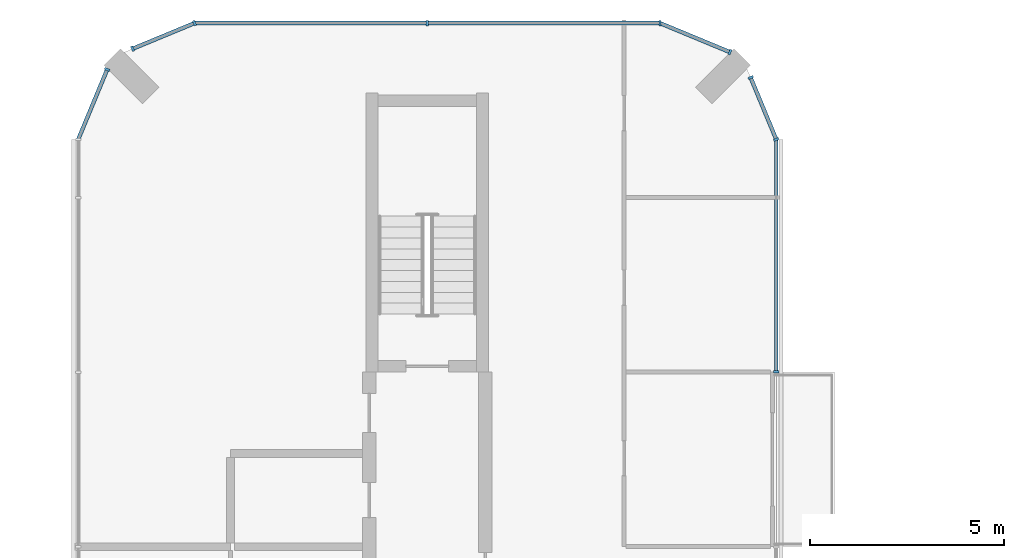
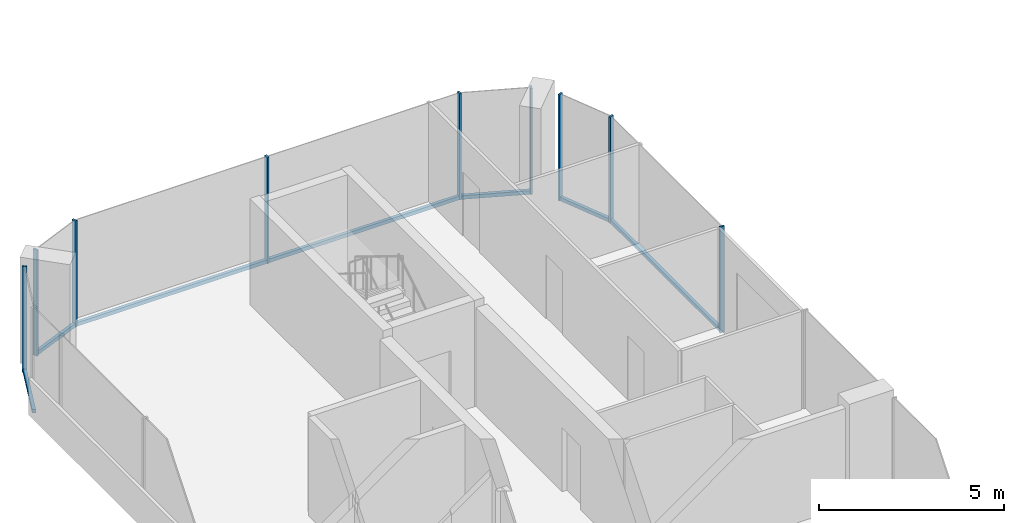
# One storey, part 7 of 24: 15 members, 6 elements without a shape of their own.
"""IFC4 building model written with IfcOpenShell, lengths in metres."""

from ifc_helpers import new_model, si_unit, direction, frame, origin, origin_2d, place, context, subcontext, project, spatial, rectangle, extrude, material, layer, layer_set, material_profile, profile_set, type_object, element, aggregate, save


model = new_model("IFC4")

# Units and contexts
model_context = context("Model", 3, precision=1e-05, world=origin(), true_north=direction((0.0, 1.0)))
body_context = subcontext(model_context, "Body", "Model", "MODEL_VIEW")
ifc_project = project(units=[si_unit("LENGTHUNIT", "METRE"), si_unit("AREAUNIT", "SQUARE_METRE"), si_unit("VOLUMEUNIT", "CUBIC_METRE"), si_unit("PLANEANGLEUNIT", "RADIAN"), si_unit("MASSUNIT", "GRAM", prefix="KILO")], contexts=[model_context])

# Site, building, storey
site_placement = place(None, origin())
site = spatial("IfcSite", under=ifc_project, at=site_placement, CompositionType="ELEMENT")
building_placement = place(site_placement, origin())
building = spatial("IfcBuilding", under=site, at=building_placement, Name="Plateau Cross Towers", CompositionType="ELEMENT")
storey_placement = place(building_placement, frame((0.0, 0.0, 44.300048828125)))
storey = spatial("IfcBuildingStorey", under=building, at=storey_placement, Name="L10", CompositionType="ELEMENT", Elevation=44.300048828125)

# Curtain wall, member
ifc_material_1 = material(Name="Dark low-iron glass", Category="glass")
ifc_layer = layer(ifc_material_1, 0.239990234375)
ifc_layer_set = layer_set([ifc_layer], Name="Dark low-iron glass")
curtain_wall_type = type_object("IfcCurtainWallType", Name="Curtain wall flush unitised CW-B", PredefinedType="NOTDEFINED", material=ifc_layer_set)
curtain_wall_1_placement = place(storey_placement, origin())
curtain_wall_1 = element("IfcCurtainWall", 1, at=curtain_wall_1_placement, inside=storey, type_object=curtain_wall_type, Name="ENV/A/L10/A180_450", PredefinedType="NOTDEFINED")
ifc_material_2 = material(Name="Black anodised aluminium", Category="aluminium")
ifc_material_profile_1 = material_profile(ifc_material_2, rectangle(XDim=0.06005859375, YDim=0.139892578125, at=origin_2d()), Name="MULLION 60x140")
ifc_profile_set_1 = profile_set([ifc_material_profile_1], Name="Black anodised aluminium")
member_type_1 = type_object("IfcMemberType", Name="Mullion 60x140 flush unitised", PredefinedType="MULLION", material=ifc_profile_set_1)
member_1_placement = place(storey_placement, frame((18.0, 45.010009765625, -0.25), z_axis=(0.0, 0.0, 1.0), x_axis=(0.0, 1.0, 0.0)))
member_1 = element("IfcMember", 2, at=member_1_placement, type_object=member_type_1, Name="CW-B mullion 1", PredefinedType="MULLION", context=body_context, shape_type="SweptSolid", body=[
    extrude(rectangle(XDim=0.06005859375, YDim=0.139892578125, at=origin_2d()), origin(), (0.0, 0.0, 1.0), 3.5),
])

# Curtain wall, members
curtain_wall_2_placement = place(storey_placement, origin())
curtain_wall_2 = element("IfcCurtainWall", 3, at=curtain_wall_2_placement, inside=storey, type_object=curtain_wall_type, Name="ENV/A/L10/A180_510", PredefinedType="NOTDEFINED")
member_2_placement = place(storey_placement, frame((18.0, 51.0, -0.25), z_axis=(0.0, 0.0, 1.0), x_axis=(-0.382683612978, 0.923879457699, 0.0)))
member_2 = element("IfcMember", 4, at=member_2_placement, type_object=member_type_1, Name="CW-B mullion 1", PredefinedType="MULLION", context=body_context, shape_type="SweptSolid", body=[
    extrude(rectangle(XDim=0.06005859375, YDim=0.139892578125, at=origin_2d()), origin(), (0.0, 0.0, 1.0), 3.5),
])
member_3_placement = place(storey_placement, frame((17.338623046875, 52.5966796875, -0.25), z_axis=(0.0, 0.0, 1.0), x_axis=(-0.382683612978, 0.923879457699, 0.0)))
member_3 = element("IfcMember", 5, at=member_3_placement, type_object=member_type_1, Name="CW-B mullion 2", PredefinedType="MULLION", context=body_context, shape_type="SweptSolid", body=[
    extrude(rectangle(XDim=0.06005859375, YDim=0.139892578125, at=origin_2d()), origin(), (0.0, 0.0, 1.0), 3.5),
])

# Curtain wall, member
curtain_wall_3_placement = place(storey_placement, origin())
curtain_wall_3 = element("IfcCurtainWall", 6, at=curtain_wall_3_placement, inside=storey, type_object=curtain_wall_type, Name="ENV/A/L10/A168_533", PredefinedType="NOTDEFINED")
member_4_placement = place(storey_placement, frame((16.805908203125, 53.251953125, -0.25), z_axis=(0.0, 0.0, 1.0), x_axis=(-0.923879457699, 0.382683612978, 0.0)))
member_4 = element("IfcMember", 7, at=member_4_placement, type_object=member_type_1, Name="CW-B mullion 1", PredefinedType="MULLION", context=body_context, shape_type="SweptSolid", body=[
    extrude(rectangle(XDim=0.06005859375, YDim=0.139892578125, at=origin_2d()), origin(), (0.0, 0.0, 1.0), 3.5),
])

# Curtain wall, members
curtain_wall_4_placement = place(storey_placement, origin())
curtain_wall_4 = element("IfcCurtainWall", 8, at=curtain_wall_4_placement, inside=storey, type_object=curtain_wall_type, Name="ENV/A/L10/A150_540", PredefinedType="NOTDEFINED")
member_5_placement = place(storey_placement, frame((15.0, 54.0, -0.25), z_axis=(0.0, 0.0, 1.0), x_axis=(-1.0, 0.0, 0.0)))
member_5 = element("IfcMember", 9, at=member_5_placement, type_object=member_type_1, Name="CW-B mullion 1", PredefinedType="MULLION", context=body_context, shape_type="SweptSolid", body=[
    extrude(rectangle(XDim=0.06005859375, YDim=0.139892578125, at=origin_2d()), origin(), (0.0, 0.0, 1.0), 3.5),
])
member_6_placement = place(storey_placement, frame((9.0, 54.0, -0.25), z_axis=(0.0, 0.0, 1.0), x_axis=(-1.0, 0.0, 0.0)))
member_6 = element("IfcMember", 10, at=member_6_placement, type_object=member_type_1, Name="CW-B mullion 2", PredefinedType="MULLION", context=body_context, shape_type="SweptSolid", body=[
    extrude(rectangle(XDim=0.06005859375, YDim=0.139892578125, at=origin_2d()), origin(), (0.0, 0.0, 1.0), 3.5),
])

curtain_wall_5_placement = place(storey_placement, origin())
curtain_wall_5 = element("IfcCurtainWall", 11, at=curtain_wall_5_placement, inside=storey, type_object=curtain_wall_type, Name="ENV/A/L10/A30_540", PredefinedType="NOTDEFINED")
member_7_placement = place(storey_placement, frame((3.0, 54.0, -0.25), z_axis=(0.0, 0.0, 1.0), x_axis=(-0.923879457699, -0.382683612978, 0.0)))
member_7 = element("IfcMember", 12, at=member_7_placement, type_object=member_type_1, Name="CW-B mullion 1", PredefinedType="MULLION", context=body_context, shape_type="SweptSolid", body=[
    extrude(rectangle(XDim=0.06005859375, YDim=0.139892578125, at=origin_2d()), origin(), (0.0, 0.0, 1.0), 3.5),
])
member_8_placement = place(storey_placement, frame((1.4033203125, 53.338623046875, -0.25), z_axis=(0.0, 0.0, 1.0), x_axis=(-0.923879457699, -0.382683612978, 0.0)))
member_8 = element("IfcMember", 13, at=member_8_placement, type_object=member_type_1, Name="CW-B mullion 2", PredefinedType="MULLION", context=body_context, shape_type="SweptSolid", body=[
    extrude(rectangle(XDim=0.06005859375, YDim=0.139892578125, at=origin_2d()), origin(), (0.0, 0.0, 1.0), 3.5),
])

# Curtain wall, member
curtain_wall_6_placement = place(storey_placement, origin())
curtain_wall_6 = element("IfcCurtainWall", 14, at=curtain_wall_6_placement, inside=storey, type_object=curtain_wall_type, Name="ENV/A/L10/A7_528", PredefinedType="NOTDEFINED")
member_9_placement = place(storey_placement, frame((0.748046875, 52.805908203125, -0.25), z_axis=(0.0, 0.0, 1.0), x_axis=(-0.382683612978, -0.923879457699, 0.0)))
member_9 = element("IfcMember", 15, at=member_9_placement, type_object=member_type_1, Name="CW-B mullion 1", PredefinedType="MULLION", context=body_context, shape_type="SweptSolid", body=[
    extrude(rectangle(XDim=0.06005859375, YDim=0.139892578125, at=origin_2d()), origin(), (0.0, 0.0, 1.0), 3.5),
])

# Member
ifc_material_profile_2 = material_profile(ifc_material_2, rectangle(XDim=0.10009765625, YDim=0.1201171875, at=origin_2d()), Name="TRANSOM 100x120")
ifc_profile_set_2 = profile_set([ifc_material_profile_2], Name="Black anodised aluminium")
member_type_2 = type_object("IfcMemberType", Name="Transom 100x120 flush unitised", PredefinedType="USERDEFINED", material=ifc_profile_set_2)
member_10_placement = place(storey_placement, frame((18.0, 45.010009765625, -0.18994140625), z_axis=(0.0, 1.0, 0.0), x_axis=(-1.0, 0.0, 0.0)))
member_10 = element("IfcMember", 16, at=member_10_placement, type_object=member_type_2, Name="CW-B transom", ObjectType="TRANSOM", PredefinedType="USERDEFINED", context=body_context, shape_type="SweptSolid", body=[
    extrude(rectangle(XDim=0.10009765625, YDim=0.1201171875, at=origin_2d()), origin(), (0.0, 0.0, 1.0), 5.989990234375),
])

aggregate(curtain_wall_1, [member_1, member_10])

member_11_placement = place(storey_placement, frame((18.0, 51.0, -0.18994140625), z_axis=(-0.382688653628, 0.923877369776, 0.0), x_axis=(-0.923877369776, -0.382688653628, 0.0)))
member_11 = element("IfcMember", 17, at=member_11_placement, type_object=member_type_2, Name="CW-B transom", ObjectType="TRANSOM", PredefinedType="USERDEFINED", context=body_context, shape_type="SweptSolid", body=[
    extrude(rectangle(XDim=0.10009765625, YDim=0.1201171875, at=origin_2d()), origin(), (0.0, 0.0, 1.0), 1.728271484375),
])

aggregate(curtain_wall_2, [member_2, member_3, member_11])

member_12_placement = place(storey_placement, frame((16.805908203125, 53.251953125, -0.18994140625), z_axis=(-0.92387678234, 0.382690071798, 0.0), x_axis=(-0.382690071798, -0.92387678234, 0.0)))
member_12 = element("IfcMember", 18, at=member_12_placement, type_object=member_type_2, Name="CW-B transom", ObjectType="TRANSOM", PredefinedType="USERDEFINED", context=body_context, shape_type="SweptSolid", body=[
    extrude(rectangle(XDim=0.10009765625, YDim=0.1201171875, at=origin_2d()), origin(), (0.0, 0.0, 1.0), 1.95458984375),
])

aggregate(curtain_wall_3, [member_4, member_12])

member_13_placement = place(storey_placement, frame((15.0, 54.0, -0.18994140625), z_axis=(-1.0, 0.0, 0.0), x_axis=(0.0, -1.0, 0.0)))
member_13 = element("IfcMember", 19, at=member_13_placement, type_object=member_type_2, Name="CW-B transom", ObjectType="TRANSOM", PredefinedType="USERDEFINED", context=body_context, shape_type="SweptSolid", body=[
    extrude(rectangle(XDim=0.10009765625, YDim=0.1201171875, at=origin_2d()), origin(), (0.0, 0.0, 1.0), 12.0),
])

aggregate(curtain_wall_4, [member_5, member_6, member_13])

member_14_placement = place(storey_placement, frame((3.0, 54.0, -0.18994140625), z_axis=(-0.923877369776, -0.382688653628, 0.0), x_axis=(0.382688653628, -0.923877369776, 0.0)))
member_14 = element("IfcMember", 20, at=member_14_placement, type_object=member_type_2, Name="CW-B transom", ObjectType="TRANSOM", PredefinedType="USERDEFINED", context=body_context, shape_type="SweptSolid", body=[
    extrude(rectangle(XDim=0.10009765625, YDim=0.1201171875, at=origin_2d()), origin(), (0.0, 0.0, 1.0), 1.728271484375),
])

aggregate(curtain_wall_5, [member_7, member_8, member_14])

member_15_placement = place(storey_placement, frame((0.748046875, 52.805908203125, -0.18994140625), z_axis=(-0.382690071798, -0.92387678234, 0.0), x_axis=(0.92387678234, -0.382690071798, 0.0)))
member_15 = element("IfcMember", 21, at=member_15_placement, type_object=member_type_2, Name="CW-B transom", ObjectType="TRANSOM", PredefinedType="USERDEFINED", context=body_context, shape_type="SweptSolid", body=[
    extrude(rectangle(XDim=0.10009765625, YDim=0.1201171875, at=origin_2d()), origin(), (0.0, 0.0, 1.0), 1.95458984375),
])

aggregate(curtain_wall_6, [member_9, member_15])

save(model, "model.ifc")
